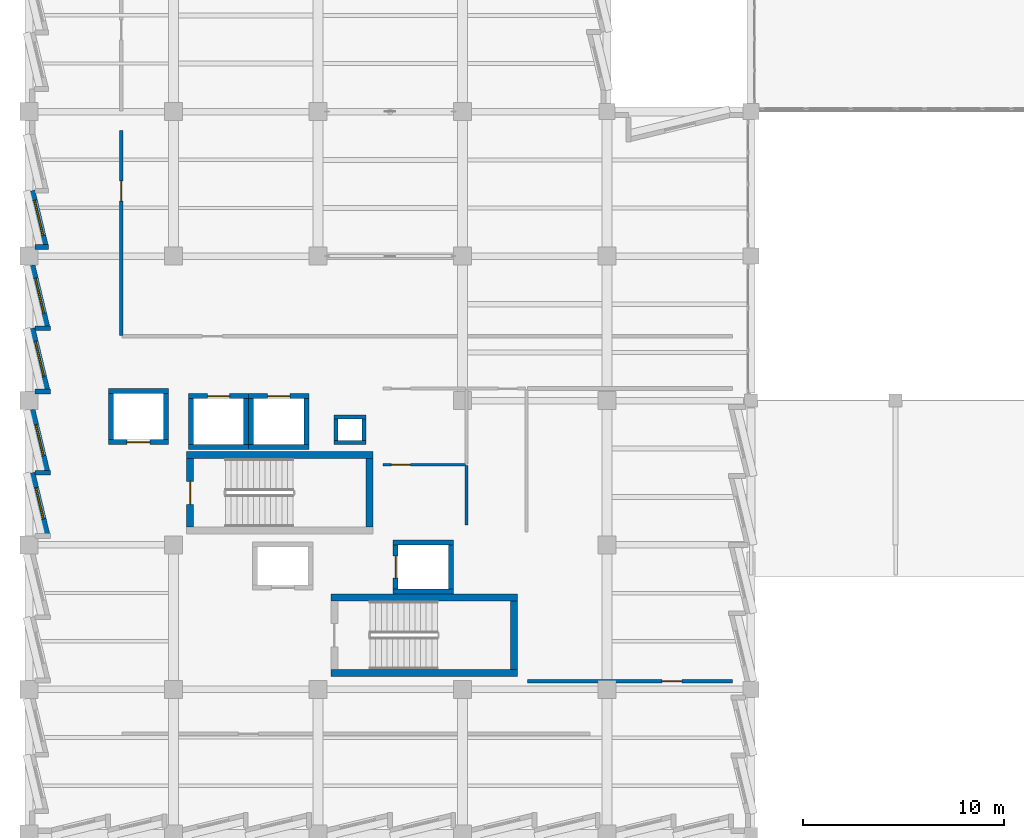
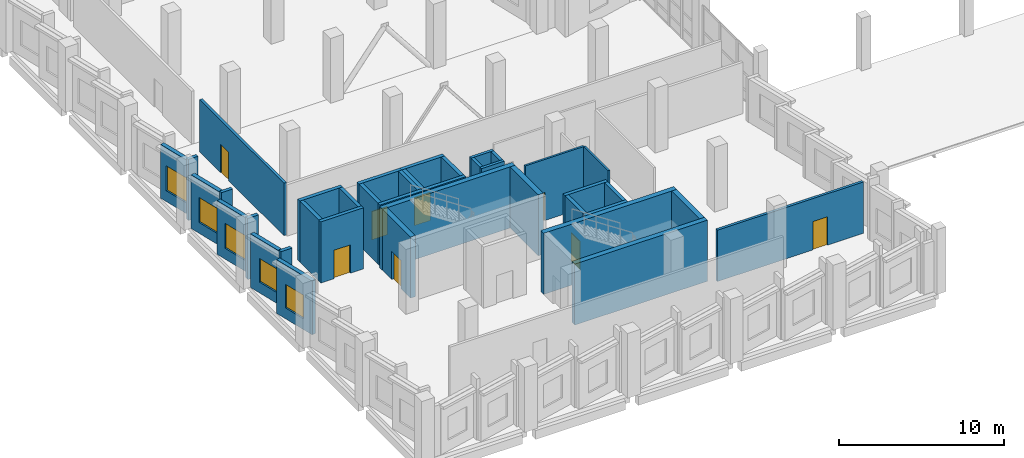
# One storey, part 92 of 127: 39 walls, 8 doors, 5 windows, 13 openings.
"""IFC4 building model written with IfcOpenShell, lengths in metres."""

from ifc_helpers import new_model, si_unit, direction, frame, frame_2d, origin, place, context, subcontext, project, spatial, rectangle, extrude, material, layer, layer_set, type_object, element, fill, save


model = new_model("IFC4")

# Units and contexts
model_context = context("Model", 3, precision=1e-05, world=origin(), true_north=direction((0.0, 1.0)))
body_context = subcontext(model_context, "Body", "Model", "MODEL_VIEW")
ifc_project = project(units=[si_unit("LENGTHUNIT", "METRE"), si_unit("AREAUNIT", "SQUARE_METRE"), si_unit("VOLUMEUNIT", "CUBIC_METRE"), si_unit("PLANEANGLEUNIT", "RADIAN"), si_unit("MASSUNIT", "GRAM", prefix="KILO")], contexts=[model_context])

# Site, building, storey
site_placement = place(None, origin())
site = spatial("IfcSite", under=ifc_project, at=site_placement, CompositionType="ELEMENT")
building_placement = place(site_placement, origin())
building = spatial("IfcBuilding", under=site, at=building_placement, Name="Kalmorath City Hall", CompositionType="ELEMENT")
storey_placement = place(building_placement, frame((0.0, 0.0, 5.39990234375)))
storey = spatial("IfcBuildingStorey", under=building, at=storey_placement, Name="L01", CompositionType="ELEMENT", Elevation=5.39990234375)

# Wall
ifc_material_1 = material(Name="Concrete C50/60", Category="concrete")
ifc_layer_1 = layer(ifc_material_1, 0.35009765625)
ifc_layer_set_1 = layer_set([ifc_layer_1], Name="Concrete C50/60")
wall_type_1 = type_object("IfcWallType", Name="Concrete core shear wall 350", PredefinedType="SHEAR", material=ifc_layer_set_1)
wall_1_placement = place(storey_placement, frame((17.14990234375, 18.875, 0.0), z_axis=(0.0, 0.0, 1.0), x_axis=(-1.0, 0.0, 0.0)))
element("IfcWall", 1, at=wall_1_placement, inside=storey, type_object=wall_type_1, Name="L01 C1 stair core shear wall N", PredefinedType="SHEAR", context=body_context, shape_type="SweptSolid", body=[
    extrude(rectangle(XDim=9.2998046875, YDim=0.35009765625, at=frame_2d((4.64990234375, 0.0))), origin(), (0.0, 0.0, 1.0), 4.52001953125),
])

# Wall, opening, door
wall_2_placement = place(storey_placement, frame((8.02490234375, 18.699951171875, 0.0), z_axis=(0.0, 0.0, 1.0), x_axis=(0.0, -1.0, 0.0)))
wall_2 = element("IfcWall", 2, at=wall_2_placement, inside=storey, type_object=wall_type_1, Name="L01 C1 stair core shear wall W", PredefinedType="SHEAR", context=body_context, shape_type="SweptSolid", body=[
    extrude(rectangle(XDim=3.39990234375, YDim=0.35009765625, at=frame_2d((1.699951171875, 0.0))), origin(), (0.0, 0.0, 1.0), 4.52001953125),
])
opening_1_placement = place(wall_2_placement, frame((1.125, 0.0, 0.0)))
opening_1 = element("IfcOpeningElement", 3, at=opening_1_placement, cuts=wall_2, Name="Opening D-L01-003", PredefinedType="OPENING", context=body_context, shape_type="SweptSolid", body=[
    extrude(rectangle(XDim=1.14990234375, YDim=2.10009765625, at=frame_2d((0.574951171875, 1.050048828125))), frame((0.0, 0.18505859375, 0.0), z_axis=(0.0, -1.0, 0.0), x_axis=(1.0, 0.0, 0.0)), (0.0, 0.0, 1.0), 0.3701171875),
])
ifc_material_2 = material(Name="Galvanised steel fire door", Category="steel")
door_type_1 = type_object("IfcDoorType", Name="Stair enclosure 90-min fire door 1150x2100", OperationType="NOTDEFINED", PredefinedType="DOOR", material=ifc_material_2)
door_1_placement = place(opening_1_placement, frame((1.14990234375, 0.0, 0.0), z_axis=(0.0, 0.0, 1.0), x_axis=(-1.0, 0.0, 0.0)))
door_1 = element("IfcDoor", 4, at=door_1_placement, inside=storey, type_object=door_type_1, Name="L01 door D-L01-003", OperationType="SINGLE_SWING_LEFT", OverallHeight=2.10009765625, OverallWidth=1.14990234375, PredefinedType="DOOR", context=body_context, shape_type="SweptSolid", body=[
    extrude(rectangle(XDim=1.14990234375, YDim=2.10009765625, at=frame_2d((0.574951171875, 1.050048828125))), frame((0.0, 0.02490234375, 0.0), z_axis=(0.0, -1.0, 0.0), x_axis=(1.0, 0.0, 0.0)), (0.0, 0.0, 1.0), 0.050048828125),
])
fill(opening_1, door_1)

# Walls
wall_3_placement = place(storey_placement, frame((16.97509765625, 15.300048828125, 0.0), z_axis=(0.0, 0.0, 1.0), x_axis=(0.0, 1.0, 0.0)))
element("IfcWall", 5, at=wall_3_placement, inside=storey, type_object=wall_type_1, Name="L01 C1 stair core shear wall E", PredefinedType="SHEAR", context=body_context, shape_type="SweptSolid", body=[
    extrude(rectangle(XDim=3.39990234375, YDim=0.35009765625, at=frame_2d((1.699951171875, 0.0))), origin(), (0.0, 0.0, 1.0), 4.52001953125),
])
for number, where, z_axis, x_axis, name in (
    (6, (15.050048828125, 8.02490234375, 0.0), (0.0, 0.0, 1.0), (1.0, 0.0, 0.0), "L01 C2 stair core shear wall S"),
    (7, (24.35009765625, 11.77490234375, 0.0), (0.0, 0.0, 1.0), (-1.0, 0.0, 0.0), "L01 C2 stair core shear wall N"),
):
    element("IfcWall", number, at=place(storey_placement, frame(where, z_axis=z_axis, x_axis=x_axis)), inside=storey, type_object=wall_type_1, Name=name, PredefinedType="SHEAR", context=body_context, shape_type="SweptSolid", body=[
        extrude(rectangle(XDim=9.300048828125, YDim=0.35009765625, at=frame_2d((4.64990234375, 0.0))), origin(), (0.0, 0.0, 1.0), 4.52001953125),
    ])
wall_4_placement = place(storey_placement, frame((24.175048828125, 8.199951171875, 0.0), z_axis=(0.0, 0.0, 1.0), x_axis=(0.0, 1.0, 0.0)))
element("IfcWall", 8, at=wall_4_placement, inside=storey, type_object=wall_type_1, Name="L01 C2 stair core shear wall E", PredefinedType="SHEAR", context=body_context, shape_type="SweptSolid", body=[
    extrude(rectangle(XDim=3.400146484375, YDim=0.35009765625, at=frame_2d((1.7001953125, 0.0))), origin(), (0.0, 0.0, 1.0), 4.52001953125),
])

# Wall, opening, door
ifc_material_3 = material(Name="Concrete C50/60", Category="concrete")
ifc_layer_2 = layer(ifc_material_3, 0.25)
ifc_layer_set_2 = layer_set([ifc_layer_2], Name="Concrete C50/60")
wall_type_2 = type_object("IfcWallType", Name="Concrete lift shaft wall 250", PredefinedType="SHEAR", material=ifc_layer_set_2)
wall_5_placement = place(storey_placement, frame((3.949951171875, 19.52490234375, 0.0), z_axis=(0.0, 0.0, 1.0), x_axis=(1.0, 0.0, 0.0)))
wall_5 = element("IfcWall", 9, at=wall_5_placement, inside=storey, type_object=wall_type_2, Name="L01 FL1 lift shaft wall -y", PredefinedType="SHEAR", context=body_context, shape_type="SweptSolid", body=[
    extrude(rectangle(XDim=3.0, YDim=0.25, at=frame_2d((1.5, 0.0))), origin(), (0.0, 0.0, 1.0), 4.52001953125),
])
opening_2_placement = place(wall_5_placement, frame((0.925048828125, 0.0, 0.0)))
opening_2 = element("IfcOpeningElement", 10, at=opening_2_placement, cuts=wall_5, Name="Opening LD-012", PredefinedType="OPENING", context=body_context, shape_type="SweptSolid", body=[
    extrude(rectangle(XDim=1.14990234375, YDim=2.10009765625, at=frame_2d((0.574951171875, 1.050048828125))), frame((0.0, 0.135009765625, 0.0), z_axis=(0.0, -1.0, 0.0), x_axis=(1.0, 0.0, 0.0)), (0.0, 0.0, 1.0), 0.27001953125),
])
ifc_material_4 = material(Name="Stainless steel sliding landing door", Category="steel")
door_type_2 = type_object("IfcDoorType", Name="Firefighting lift sliding landing door 1150x2100", OperationType="SLIDING_TO_RIGHT", PredefinedType="DOOR", material=ifc_material_4)
door_2_placement = place(opening_2_placement, origin())
door_2 = element("IfcDoor", 11, at=door_2_placement, inside=storey, type_object=door_type_2, Name="L01 door LD-012", OperationType="SLIDING_TO_RIGHT", OverallHeight=2.10009765625, OverallWidth=1.14990234375, PredefinedType="DOOR", context=body_context, shape_type="SweptSolid", body=[
    extrude(rectangle(XDim=1.14990234375, YDim=2.10009765625, at=frame_2d((0.574951171875, 1.050048828125))), frame((0.0, 0.02490234375, 0.0), z_axis=(0.0, -1.0, 0.0), x_axis=(1.0, 0.0, 0.0)), (0.0, 0.0, 1.0), 0.050048828125),
])
fill(opening_2, door_2)

# Walls
wall_6_placement = place(storey_placement, frame((6.949951171875, 22.074951171875, 0.0), z_axis=(0.0, 0.0, 1.0), x_axis=(-1.0, 0.0, 0.0)))
element("IfcWall", 12, at=wall_6_placement, inside=storey, type_object=wall_type_2, Name="L01 FL1 lift shaft wall +y", PredefinedType="SHEAR", context=body_context, shape_type="SweptSolid", body=[
    extrude(rectangle(XDim=3.0, YDim=0.25, at=frame_2d((1.5, 0.0))), origin(), (0.0, 0.0, 1.0), 4.52001953125),
])
for number, where, z_axis, x_axis, name in (
    (13, (4.074951171875, 21.949951171875, 0.0), (0.0, 0.0, 1.0), (0.0, -1.0, 0.0), "L01 FL1 lift shaft wall -x"),
    (14, (6.824951171875, 19.64990234375, 0.0), (0.0, 0.0, 1.0), (0.0, 1.0, 0.0), "L01 FL1 lift shaft wall +x"),
):
    element("IfcWall", number, at=place(storey_placement, frame(where, z_axis=z_axis, x_axis=x_axis)), inside=storey, type_object=wall_type_2, Name=name, PredefinedType="SHEAR", context=body_context, shape_type="SweptSolid", body=[
        extrude(rectangle(XDim=2.300048828125, YDim=0.25, at=frame_2d((1.14990234375, 0.0))), origin(), (0.0, 0.0, 1.0), 4.52001953125),
    ])
wall_7_placement = place(storey_placement, frame((7.949951171875, 19.27490234375, 0.0), z_axis=(0.0, 0.0, 1.0), x_axis=(1.0, 0.0, 0.0)))
element("IfcWall", 15, at=wall_7_placement, inside=storey, type_object=wall_type_2, Name="L01 PL1 lift shaft wall -y", PredefinedType="SHEAR", context=body_context, shape_type="SweptSolid", body=[
    extrude(rectangle(XDim=3.0, YDim=0.25, at=frame_2d((1.5, 0.0))), origin(), (0.0, 0.0, 1.0), 4.52001953125),
])

# Wall, opening, door
wall_8_placement = place(storey_placement, frame((10.949951171875, 21.824951171875, 0.0), z_axis=(0.0, 0.0, 1.0), x_axis=(-1.0, 0.0, 0.0)))
wall_8 = element("IfcWall", 16, at=wall_8_placement, inside=storey, type_object=wall_type_2, Name="L01 PL1 lift shaft wall +y", PredefinedType="SHEAR", context=body_context, shape_type="SweptSolid", body=[
    extrude(rectangle(XDim=3.0, YDim=0.25, at=frame_2d((1.5, 0.0))), origin(), (0.0, 0.0, 1.0), 4.52001953125),
])
opening_3_placement = place(wall_8_placement, frame((0.949951171875, 0.0, 0.0)))
opening_3 = element("IfcOpeningElement", 17, at=opening_3_placement, cuts=wall_8, Name="Opening LD-021", PredefinedType="OPENING", context=body_context, shape_type="SweptSolid", body=[
    extrude(rectangle(XDim=1.10009765625, YDim=2.10009765625, at=frame_2d((0.550048828125, 1.050048828125))), frame((0.0, 0.135009765625, 0.0), z_axis=(0.0, -1.0, 0.0), x_axis=(1.0, 0.0, 0.0)), (0.0, 0.0, 1.0), 0.27001953125),
])
ifc_material_5 = material(Name="Stainless steel sliding landing door", Category="steel")
door_type_3 = type_object("IfcDoorType", Name="Passenger lift sliding landing door 1100x2100", OperationType="SLIDING_TO_LEFT", PredefinedType="DOOR", material=ifc_material_5)
door_3_placement = place(opening_3_placement, origin())
door_3 = element("IfcDoor", 18, at=door_3_placement, inside=storey, type_object=door_type_3, Name="L01 door LD-021", OperationType="SLIDING_TO_LEFT", OverallHeight=2.10009765625, OverallWidth=1.10009765625, PredefinedType="DOOR", context=body_context, shape_type="SweptSolid", body=[
    extrude(rectangle(XDim=1.10009765625, YDim=2.10009765625, at=frame_2d((0.550048828125, 1.050048828125))), frame((0.0, 0.02490234375, 0.0), z_axis=(0.0, -1.0, 0.0), x_axis=(1.0, 0.0, 0.0)), (0.0, 0.0, 1.0), 0.050048828125),
])
fill(opening_3, door_3)

# Walls
for number, where, z_axis, x_axis, name in (
    (19, (8.074951171875, 21.699951171875, 0.0), (0.0, 0.0, 1.0), (0.0, -1.0, 0.0), "L01 PL1 lift shaft wall -x"),
    (20, (10.824951171875, 19.39990234375, 0.0), (0.0, 0.0, 1.0), (0.0, 1.0, 0.0), "L01 PL1 lift shaft wall +x"),
):
    element("IfcWall", number, at=place(storey_placement, frame(where, z_axis=z_axis, x_axis=x_axis)), inside=storey, type_object=wall_type_2, Name=name, PredefinedType="SHEAR", context=body_context, shape_type="SweptSolid", body=[
        extrude(rectangle(XDim=2.300048828125, YDim=0.25, at=frame_2d((1.14990234375, 0.0))), origin(), (0.0, 0.0, 1.0), 4.52001953125),
    ])
wall_9_placement = place(storey_placement, frame((10.949951171875, 19.27490234375, 0.0), z_axis=(0.0, 0.0, 1.0), x_axis=(1.0, 0.0, 0.0)))
element("IfcWall", 21, at=wall_9_placement, inside=storey, type_object=wall_type_2, Name="L01 PL2 lift shaft wall -y", PredefinedType="SHEAR", context=body_context, shape_type="SweptSolid", body=[
    extrude(rectangle(XDim=3.0, YDim=0.25, at=frame_2d((1.5, 0.0))), origin(), (0.0, 0.0, 1.0), 4.52001953125),
])

# Wall, opening, door
wall_10_placement = place(storey_placement, frame((13.949951171875, 21.824951171875, 0.0), z_axis=(0.0, 0.0, 1.0), x_axis=(-1.0, 0.0, 0.0)))
wall_10 = element("IfcWall", 22, at=wall_10_placement, inside=storey, type_object=wall_type_2, Name="L01 PL2 lift shaft wall +y", PredefinedType="SHEAR", context=body_context, shape_type="SweptSolid", body=[
    extrude(rectangle(XDim=3.0, YDim=0.25, at=frame_2d((1.5, 0.0))), origin(), (0.0, 0.0, 1.0), 4.52001953125),
])
opening_4_placement = place(wall_10_placement, frame((0.949951171875, 0.0, 0.0)))
opening_4 = element("IfcOpeningElement", 23, at=opening_4_placement, cuts=wall_10, Name="Opening LD-030", PredefinedType="OPENING", context=body_context, shape_type="SweptSolid", body=[
    extrude(rectangle(XDim=1.10009765625, YDim=2.10009765625, at=frame_2d((0.550048828125, 1.050048828125))), frame((0.0, 0.135009765625, 0.0), z_axis=(0.0, -1.0, 0.0), x_axis=(1.0, 0.0, 0.0)), (0.0, 0.0, 1.0), 0.27001953125),
])
door_4_placement = place(opening_4_placement, origin())
door_4 = element("IfcDoor", 24, at=door_4_placement, inside=storey, type_object=door_type_3, Name="L01 door LD-030", OperationType="SLIDING_TO_LEFT", OverallHeight=2.10009765625, OverallWidth=1.10009765625, PredefinedType="DOOR", context=body_context, shape_type="SweptSolid", body=[
    extrude(rectangle(XDim=1.10009765625, YDim=2.10009765625, at=frame_2d((0.550048828125, 1.050048828125))), frame((0.0, 0.02490234375, 0.0), z_axis=(0.0, -1.0, 0.0), x_axis=(1.0, 0.0, 0.0)), (0.0, 0.0, 1.0), 0.050048828125),
])
fill(opening_4, door_4)

# Walls
for number, where, z_axis, x_axis, name in (
    (25, (11.074951171875, 21.699951171875, 0.0), (0.0, 0.0, 1.0), (0.0, -1.0, 0.0), "L01 PL2 lift shaft wall -x"),
    (26, (13.824951171875, 19.39990234375, 0.0), (0.0, 0.0, 1.0), (0.0, 1.0, 0.0), "L01 PL2 lift shaft wall +x"),
):
    element("IfcWall", number, at=place(storey_placement, frame(where, z_axis=z_axis, x_axis=x_axis)), inside=storey, type_object=wall_type_2, Name=name, PredefinedType="SHEAR", context=body_context, shape_type="SweptSolid", body=[
        extrude(rectangle(XDim=2.300048828125, YDim=0.25, at=frame_2d((1.14990234375, 0.0))), origin(), (0.0, 0.0, 1.0), 4.52001953125),
    ])
for number, where, z_axis, x_axis, name in (
    (27, (18.14990234375, 12.074951171875, 0.0), (0.0, 0.0, 1.0), (1.0, 0.0, 0.0), "L01 PL3 lift shaft wall -y"),
    (28, (21.14990234375, 14.52490234375, 0.0), (0.0, 0.0, 1.0), (-1.0, 0.0, 0.0), "L01 PL3 lift shaft wall +y"),
):
    element("IfcWall", number, at=place(storey_placement, frame(where, z_axis=z_axis, x_axis=x_axis)), inside=storey, type_object=wall_type_2, Name=name, PredefinedType="SHEAR", context=body_context, shape_type="SweptSolid", body=[
        extrude(rectangle(XDim=3.0, YDim=0.25, at=frame_2d((1.5, 0.0))), origin(), (0.0, 0.0, 1.0), 4.52001953125),
    ])

# Wall, opening, door
wall_11_placement = place(storey_placement, frame((18.27490234375, 14.39990234375, 0.0), z_axis=(0.0, 0.0, 1.0), x_axis=(0.0, -1.0, 0.0)))
wall_11 = element("IfcWall", 29, at=wall_11_placement, inside=storey, type_object=wall_type_2, Name="L01 PL3 lift shaft wall -x", PredefinedType="SHEAR", context=body_context, shape_type="SweptSolid", body=[
    extrude(rectangle(XDim=2.199951171875, YDim=0.25, at=frame_2d((1.10009765625, 0.0))), origin(), (0.0, 0.0, 1.0), 4.52001953125),
])
opening_5_placement = place(wall_11_placement, frame((0.550048828125, 0.0, 0.0)))
opening_5 = element("IfcOpeningElement", 30, at=opening_5_placement, cuts=wall_11, Name="Opening LD-057", PredefinedType="OPENING", context=body_context, shape_type="SweptSolid", body=[
    extrude(rectangle(XDim=1.10009765625, YDim=2.10009765625, at=frame_2d((0.550048828125, 1.050048828125))), frame((0.0, 0.135009765625, 0.0), z_axis=(0.0, -1.0, 0.0), x_axis=(1.0, 0.0, 0.0)), (0.0, 0.0, 1.0), 0.27001953125),
])
door_5_placement = place(opening_5_placement, origin())
door_5 = element("IfcDoor", 31, at=door_5_placement, inside=storey, type_object=door_type_3, Name="L01 door LD-057", OperationType="SLIDING_TO_LEFT", OverallHeight=2.10009765625, OverallWidth=1.10009765625, PredefinedType="DOOR", context=body_context, shape_type="SweptSolid", body=[
    extrude(rectangle(XDim=1.10009765625, YDim=2.10009765625, at=frame_2d((0.550048828125, 1.050048828125))), frame((0.0, 0.02490234375, 0.0), z_axis=(0.0, -1.0, 0.0), x_axis=(1.0, 0.0, 0.0)), (0.0, 0.0, 1.0), 0.050048828125),
])
fill(opening_5, door_5)

# Walls
wall_12_placement = place(storey_placement, frame((21.02490234375, 12.199951171875, 0.0), z_axis=(0.0, 0.0, 1.0), x_axis=(0.0, 1.0, 0.0)))
element("IfcWall", 32, at=wall_12_placement, inside=storey, type_object=wall_type_2, Name="L01 PL3 lift shaft wall +x", PredefinedType="SHEAR", context=body_context, shape_type="SweptSolid", body=[
    extrude(rectangle(XDim=2.199951171875, YDim=0.25, at=frame_2d((1.10009765625, 0.0))), origin(), (0.0, 0.0, 1.0), 4.52001953125),
])
ifc_material_6 = material(Name="Concrete C40/50", Category="concrete")
ifc_layer_3 = layer(ifc_material_6, 0.199951171875)
ifc_layer_set_3 = layer_set([ifc_layer_3], Name="Concrete C40/50")
wall_type_3 = type_object("IfcWallType", Name="Concrete service riser wall 200", PredefinedType="SOLIDWALL", material=ifc_layer_set_3)
for number, where, z_axis, x_axis, name in (
    (33, (15.199951171875, 19.5, 0.0), (0.0, 0.0, 1.0), (1.0, 0.0, 0.0), "L01 RSR-1 riser shaft wall S"),
    (34, (16.800048828125, 20.780029296875, 0.0), (0.0, 0.0, 1.0), (-1.0, 0.0, 0.0), "L01 RSR-1 riser shaft wall N"),
):
    element("IfcWall", number, at=place(storey_placement, frame(where, z_axis=z_axis, x_axis=x_axis)), inside=storey, type_object=wall_type_3, Name=name, PredefinedType="SOLIDWALL", context=body_context, shape_type="SweptSolid", body=[
        extrude(rectangle(XDim=1.60009765625, YDim=0.199951171875, at=frame_2d((0.800048828125, 0.0))), origin(), (0.0, 0.0, 1.0), 4.52001953125),
    ])
for number, where, z_axis, x_axis, name in (
    (35, (15.300048828125, 20.679931640625, 0.0), (0.0, 0.0, 1.0), (0.0, -1.0, 0.0), "L01 RSR-1 riser shaft wall W"),
    (36, (16.699951171875, 19.60009765625, 0.0), (0.0, 0.0, 1.0), (0.0, 1.0, 0.0), "L01 RSR-1 riser shaft wall E"),
):
    element("IfcWall", number, at=place(storey_placement, frame(where, z_axis=z_axis, x_axis=x_axis)), inside=storey, type_object=wall_type_3, Name=name, PredefinedType="SOLIDWALL", context=body_context, shape_type="SweptSolid", body=[
        extrude(rectangle(XDim=1.079833984375, YDim=0.199951171875, at=frame_2d((0.5400390625, 0.0))), origin(), (0.0, 0.0, 1.0), 4.52001953125),
    ])

# Wall, opening, door
ifc_material_7 = material(Name="Fire-rated acoustic gypsum partition")
ifc_layer_4 = layer(ifc_material_7, 0.179931640625)
ifc_layer_set_4 = layer_set([ifc_layer_4], Name="Fire-rated acoustic gypsum partition")
wall_type_4 = type_object("IfcWallType", Name="One-hour corridor fire partition 180", PredefinedType="PARTITIONING", material=ifc_layer_set_4)
wall_13_placement = place(storey_placement, frame((4.60009765625, 24.840087890625, 0.0), z_axis=(0.0, 0.0, 1.0), x_axis=(0.0, 1.0, 0.0)))
wall_13 = element("IfcWall", 37, at=wall_13_placement, inside=storey, type_object=wall_type_4, Name="L01 interior partition PW2 #67", PredefinedType="PARTITIONING", context=body_context, shape_type="SweptSolid", body=[
    extrude(rectangle(XDim=10.219970703125, YDim=0.179931640625, at=frame_2d((5.10986328125, 0.0))), origin(), (0.0, 0.0, 1.0), 3.88916015625),
])
opening_6_placement = place(wall_13_placement, frame((6.705078125, 0.0, 0.0)))
opening_6 = element("IfcOpeningElement", 38, at=opening_6_placement, cuts=wall_13, Name="Opening D-L01-172", PredefinedType="OPENING", context=body_context, shape_type="SweptSolid", body=[
    extrude(rectangle(XDim=1.0, YDim=2.10009765625, at=frame_2d((0.5, 1.050048828125))), frame((0.0, 0.099853515625, 0.0), z_axis=(0.0, -1.0, 0.0), x_axis=(1.0, 0.0, 0.0)), (0.0, 0.0, 1.0), 0.199951171875),
])
ifc_material_8 = material(Name="Hardwood fire door", Category="wood")
door_type_4 = type_object("IfcDoorType", Name="Corridor 60-min fire door 1000x2100", OperationType="NOTDEFINED", PredefinedType="DOOR", material=ifc_material_8)
door_6_placement = place(opening_6_placement, origin())
door_6 = element("IfcDoor", 39, at=door_6_placement, inside=storey, type_object=door_type_4, Name="L01 door D-L01-172", OperationType="SINGLE_SWING_RIGHT", OverallHeight=2.10009765625, OverallWidth=1.0, PredefinedType="DOOR", context=body_context, shape_type="SweptSolid", body=[
    extrude(rectangle(XDim=1.0, YDim=2.10009765625, at=frame_2d((0.5, 1.050048828125))), frame((0.0, 0.02490234375, 0.0), z_axis=(0.0, -1.0, 0.0), x_axis=(1.0, 0.0, 0.0)), (0.0, 0.0, 1.0), 0.050048828125),
])
fill(opening_6, door_6)

wall_14_placement = place(storey_placement, frame((24.840087890625, 7.60009765625, 0.0), z_axis=(0.0, 0.0, 1.0), x_axis=(1.0, 0.0, 0.0)))
wall_14 = element("IfcWall", 40, at=wall_14_placement, inside=storey, type_object=wall_type_4, Name="L01 interior partition PW2 #76", PredefinedType="PARTITIONING", context=body_context, shape_type="SweptSolid", body=[
    extrude(rectangle(XDim=10.219970703125, YDim=0.179931640625, at=frame_2d((5.10986328125, 0.0))), origin(), (0.0, 0.0, 1.0), 3.801025390625),
])
opening_7_placement = place(wall_14_placement, frame((6.705078125, 0.0, 0.0)))
opening_7 = element("IfcOpeningElement", 41, at=opening_7_placement, cuts=wall_14, Name="Opening D-L01-170", PredefinedType="OPENING", context=body_context, shape_type="SweptSolid", body=[
    extrude(rectangle(XDim=1.0, YDim=2.10009765625, at=frame_2d((0.5, 1.050048828125))), frame((0.0, 0.099853515625, 0.0), z_axis=(0.0, -1.0, 0.0), x_axis=(1.0, 0.0, 0.0)), (0.0, 0.0, 1.0), 0.199951171875),
])
door_7_placement = place(opening_7_placement, origin())
door_7 = element("IfcDoor", 42, at=door_7_placement, inside=storey, type_object=door_type_4, Name="L01 door D-L01-170", OperationType="SINGLE_SWING_RIGHT", OverallHeight=2.10009765625, OverallWidth=1.0, PredefinedType="DOOR", context=body_context, shape_type="SweptSolid", body=[
    extrude(rectangle(XDim=1.0, YDim=2.10009765625, at=frame_2d((0.5, 1.050048828125))), frame((0.0, 0.02490234375, 0.0), z_axis=(0.0, -1.0, 0.0), x_axis=(1.0, 0.0, 0.0)), (0.0, 0.0, 1.0), 0.050048828125),
])
fill(opening_7, door_7)

# Walls
ifc_material_9 = material(Name="Precast concrete C40/50", Category="concrete")
ifc_layer_5 = layer(ifc_material_9, 0.239990234375)
ifc_layer_set_5 = layer_set([ifc_layer_5], Name="Precast concrete C40/50")
wall_type_5 = type_object("IfcWallType", Name="Precast sawtooth cheek wall 240", PredefinedType="SOLIDWALL", material=ifc_layer_set_5)
for number, where, z_axis, x_axis, name in (
    (43, (1.06103515625, 18.0, 0.0), (0.0, 0.0, 1.0), (-1.0, 0.0, 0.0), "L01 sawtooth return cheek #175"),
    (44, (1.06103515625, 22.051025390625, 0.0), (0.0, 0.0, 1.0), (-1.0, 0.0, 0.0), "L01 sawtooth return cheek #177"),
    (45, (1.06103515625, 25.199951171875, 0.0), (0.0, 0.0, 1.0), (-1.0, 0.0, 0.0), "L01 sawtooth return cheek #179"),
):
    element("IfcWall", number, at=place(storey_placement, frame(where, z_axis=z_axis, x_axis=x_axis)), inside=storey, type_object=wall_type_5, Name=name, PredefinedType="SOLIDWALL", context=body_context, shape_type="SweptSolid", body=[
        extrude(rectangle(XDim=0.76904296875, YDim=0.239990234375, at=frame_2d((0.384521484375, 0.0))), origin(), (0.0, 0.0, 1.0), 4.52001953125),
    ])
wall_15_placement = place(storey_placement, frame((0.9794921875, 29.2509765625, 0.0), z_axis=(0.0, 0.0, 1.0), x_axis=(-1.0, 0.0, 0.0)))
element("IfcWall", 46, at=wall_15_placement, inside=storey, type_object=wall_type_5, Name="L01 sawtooth return cheek #182", PredefinedType="SOLIDWALL", context=body_context, shape_type="SweptSolid", body=[
    extrude(rectangle(XDim=0.6875, YDim=0.239990234375, at=frame_2d((0.34375, 0.0))), origin(), (0.0, 0.0, 1.0), 4.52001953125),
])

# Wall, opening, window
ifc_material_10 = material(Name="Precast concrete C40/50", Category="concrete")
ifc_layer_6 = layer(ifc_material_10, 0.280029296875)
ifc_layer_set_6 = layer_set([ifc_layer_6], Name="Precast concrete C40/50")
wall_type_6 = type_object("IfcWallType", Name="Precast sawtooth facade wall 280", PredefinedType="SOLIDWALL", material=ifc_layer_set_6)
wall_16_placement = place(storey_placement, frame((0.893798828125, 14.943359375, 0.0), z_axis=(0.0, 0.0, 1.0), x_axis=(-0.233461073712, 0.972366148661, 0.0)))
wall_16 = element("IfcWall", 47, at=wall_16_placement, inside=storey, type_object=wall_type_6, Name="L01 sawtooth precast frame #172", PredefinedType="SOLIDWALL", context=body_context, shape_type="SweptSolid", body=[
    extrude(rectangle(XDim=3.1435546875, YDim=0.280029296875, at=frame_2d((1.57177734375, 0.0))), origin(), (0.0, 0.0, 1.0), 3.97607421875),
])
opening_8_placement = place(wall_16_placement, frame((0.771728515625, 0.0, 0.800048828125)))
opening_8 = element("IfcOpeningElement", 48, at=opening_8_placement, cuts=wall_16, Name="Opening WN3", PredefinedType="OPENING", context=body_context, shape_type="SweptSolid", body=[
    extrude(rectangle(XDim=1.60009765625, YDim=1.75, at=frame_2d((0.800048828125, 0.875))), frame((0.0, 0.14990234375, 0.0), z_axis=(0.0, -1.0, 0.0), x_axis=(1.0, 0.0, 0.0)), (0.0, 0.0, 1.0), 0.300048828125),
])
ifc_material_11 = material(Name="Aluminium and laminated glass", Category="aluminium")
window_type_1 = type_object("IfcWindowType", Name="Sawtooth upper window 1600x1750", PartitioningType="SINGLE_PANEL", PredefinedType="WINDOW", material=ifc_material_11)
window_1_placement = place(opening_8_placement, origin())
window_1 = element("IfcWindow", 49, at=window_1_placement, inside=storey, type_object=window_type_1, Name="L01 window WN3-80", OverallHeight=1.75, OverallWidth=1.60009765625, PartitioningType="SINGLE_PANEL", PredefinedType="WINDOW", context=body_context, shape_type="SweptSolid", body=[
    extrude(rectangle(XDim=1.60009765625, YDim=1.75, at=frame_2d((0.800048828125, 0.875))), frame((0.0, 0.030029296875, 0.0), z_axis=(0.0, -1.0, 0.0), x_axis=(1.0, 0.0, 0.0)), (0.0, 0.0, 1.0), 0.06005859375),
])
fill(opening_8, window_1)

wall_17_placement = place(storey_placement, frame((0.893798828125, 18.09228515625, 0.0), z_axis=(0.0, 0.0, 1.0), x_axis=(-0.233461073712, 0.972366148661, 0.0)))
wall_17 = element("IfcWall", 50, at=wall_17_placement, inside=storey, type_object=wall_type_6, Name="L01 sawtooth precast frame #174", PredefinedType="SOLIDWALL", context=body_context, shape_type="SweptSolid", body=[
    extrude(rectangle(XDim=3.1435546875, YDim=0.280029296875, at=frame_2d((1.57177734375, 0.0))), origin(), (0.0, 0.0, 1.0), 3.97607421875),
])
opening_9_placement = place(wall_17_placement, frame((0.771728515625, 0.0, 0.800048828125)))
opening_9 = element("IfcOpeningElement", 51, at=opening_9_placement, cuts=wall_17, Name="Opening WN3", PredefinedType="OPENING", context=body_context, shape_type="SweptSolid", body=[
    extrude(rectangle(XDim=1.60009765625, YDim=1.75, at=frame_2d((0.800048828125, 0.875))), frame((0.0, 0.14990234375, 0.0), z_axis=(0.0, -1.0, 0.0), x_axis=(1.0, 0.0, 0.0)), (0.0, 0.0, 1.0), 0.300048828125),
])
window_2_placement = place(opening_9_placement, origin())
window_2 = element("IfcWindow", 52, at=window_2_placement, inside=storey, type_object=window_type_1, Name="L01 window WN3-81", OverallHeight=1.75, OverallWidth=1.60009765625, PartitioningType="SINGLE_PANEL", PredefinedType="WINDOW", context=body_context, shape_type="SweptSolid", body=[
    extrude(rectangle(XDim=1.60009765625, YDim=1.75, at=frame_2d((0.800048828125, 0.875))), frame((0.0, 0.030029296875, 0.0), z_axis=(0.0, -1.0, 0.0), x_axis=(1.0, 0.0, 0.0)), (0.0, 0.0, 1.0), 0.06005859375),
])
fill(opening_9, window_2)

wall_18_placement = place(storey_placement, frame((0.893798828125, 22.143310546875, 0.0), z_axis=(0.0, 0.0, 1.0), x_axis=(-0.233461073712, 0.972366148661, 0.0)))
wall_18 = element("IfcWall", 53, at=wall_18_placement, inside=storey, type_object=wall_type_6, Name="L01 sawtooth precast frame #176", PredefinedType="SOLIDWALL", context=body_context, shape_type="SweptSolid", body=[
    extrude(rectangle(XDim=3.1435546875, YDim=0.280029296875, at=frame_2d((1.57177734375, 0.0))), origin(), (0.0, 0.0, 1.0), 3.97607421875),
])
opening_10_placement = place(wall_18_placement, frame((0.671630859375, 0.0, 0.800048828125)))
opening_10 = element("IfcOpeningElement", 54, at=opening_10_placement, cuts=wall_18, Name="Opening WN4", PredefinedType="OPENING", context=body_context, shape_type="SweptSolid", body=[
    extrude(rectangle(XDim=1.800048828125, YDim=1.85009765625, at=frame_2d((0.89990234375, 0.925048828125))), frame((0.0, 0.14990234375, 0.0), z_axis=(0.0, -1.0, 0.0), x_axis=(1.0, 0.0, 0.0)), (0.0, 0.0, 1.0), 0.300048828125),
])
ifc_material_12 = material(Name="Aluminium and laminated glass", Category="aluminium")
window_type_2 = type_object("IfcWindowType", Name="Sawtooth executive window 1800x1850", PartitioningType="SINGLE_PANEL", PredefinedType="WINDOW", material=ifc_material_12)
window_3_placement = place(opening_10_placement, origin())
window_3 = element("IfcWindow", 55, at=window_3_placement, inside=storey, type_object=window_type_2, Name="L01 window WN4-82", OverallHeight=1.85009765625, OverallWidth=1.800048828125, PartitioningType="SINGLE_PANEL", PredefinedType="WINDOW", context=body_context, shape_type="SweptSolid", body=[
    extrude(rectangle(XDim=1.800048828125, YDim=1.85009765625, at=frame_2d((0.89990234375, 0.925048828125))), frame((0.0, 0.030029296875, 0.0), z_axis=(0.0, -1.0, 0.0), x_axis=(1.0, 0.0, 0.0)), (0.0, 0.0, 1.0), 0.06005859375),
])
fill(opening_10, window_3)

wall_19_placement = place(storey_placement, frame((0.893798828125, 25.29248046875, 0.0), z_axis=(0.0, 0.0, 1.0), x_axis=(-0.233461073712, 0.972366148661, 0.0)))
wall_19 = element("IfcWall", 56, at=wall_19_placement, inside=storey, type_object=wall_type_6, Name="L01 sawtooth precast frame #178", PredefinedType="SOLIDWALL", context=body_context, shape_type="SweptSolid", body=[
    extrude(rectangle(XDim=3.1435546875, YDim=0.280029296875, at=frame_2d((1.57177734375, 0.0))), origin(), (0.0, 0.0, 1.0), 3.97607421875),
])
opening_11_placement = place(wall_19_placement, frame((0.671630859375, 0.0, 0.800048828125)))
opening_11 = element("IfcOpeningElement", 57, at=opening_11_placement, cuts=wall_19, Name="Opening WN4", PredefinedType="OPENING", context=body_context, shape_type="SweptSolid", body=[
    extrude(rectangle(XDim=1.800048828125, YDim=1.85009765625, at=frame_2d((0.89990234375, 0.925048828125))), frame((0.0, 0.14990234375, 0.0), z_axis=(0.0, -1.0, 0.0), x_axis=(1.0, 0.0, 0.0)), (0.0, 0.0, 1.0), 0.300048828125),
])
window_4_placement = place(opening_11_placement, origin())
window_4 = element("IfcWindow", 58, at=window_4_placement, inside=storey, type_object=window_type_2, Name="L01 window WN4-83", OverallHeight=1.85009765625, OverallWidth=1.800048828125, PartitioningType="SINGLE_PANEL", PredefinedType="WINDOW", context=body_context, shape_type="SweptSolid", body=[
    extrude(rectangle(XDim=1.800048828125, YDim=1.85009765625, at=frame_2d((0.89990234375, 0.925048828125))), frame((0.0, 0.030029296875, 0.0), z_axis=(0.0, -1.0, 0.0), x_axis=(1.0, 0.0, 0.0)), (0.0, 0.0, 1.0), 0.06005859375),
])
fill(opening_11, window_4)

wall_20_placement = place(storey_placement, frame((0.812255859375, 29.343505859375, 0.0), z_axis=(0.0, 0.0, 1.0), x_axis=(-0.233498544812, 0.972357151242, 0.0)))
wall_20 = element("IfcWall", 59, at=wall_20_placement, inside=storey, type_object=wall_type_6, Name="L01 sawtooth precast frame #181", PredefinedType="SOLIDWALL", context=body_context, shape_type="SweptSolid", body=[
    extrude(rectangle(XDim=2.793701171875, YDim=0.280029296875, at=frame_2d((1.39697265625, 0.0))), origin(), (0.0, 0.0, 1.0), 3.97607421875),
])
opening_12_placement = place(wall_20_placement, frame((0.496826171875, 0.0, 0.800048828125)))
opening_12 = element("IfcOpeningElement", 60, at=opening_12_placement, cuts=wall_20, Name="Opening WN4", PredefinedType="OPENING", context=body_context, shape_type="SweptSolid", body=[
    extrude(rectangle(XDim=1.800048828125, YDim=1.85009765625, at=frame_2d((0.89990234375, 0.925048828125))), frame((0.0, 0.14990234375, 0.0), z_axis=(0.0, -1.0, 0.0), x_axis=(1.0, 0.0, 0.0)), (0.0, 0.0, 1.0), 0.300048828125),
])
window_5_placement = place(opening_12_placement, origin())
window_5 = element("IfcWindow", 61, at=window_5_placement, inside=storey, type_object=window_type_2, Name="L01 window WN4-84", OverallHeight=1.85009765625, OverallWidth=1.800048828125, PartitioningType="SINGLE_PANEL", PredefinedType="WINDOW", context=body_context, shape_type="SweptSolid", body=[
    extrude(rectangle(XDim=1.800048828125, YDim=1.85009765625, at=frame_2d((0.89990234375, 0.925048828125))), frame((0.0, 0.030029296875, 0.0), z_axis=(0.0, -1.0, 0.0), x_axis=(1.0, 0.0, 0.0)), (0.0, 0.0, 1.0), 0.06005859375),
])
fill(opening_12, window_5)

# Wall, opening, door
ifc_material_13 = material(Name="Moisture-resistant fire-rated partition")
ifc_layer_7 = layer(ifc_material_13, 0.139892578125)
ifc_layer_set_7 = layer_set([ifc_layer_7], Name="Moisture-resistant fire-rated partition")
wall_type_7 = type_object("IfcWallType", Name="Restroom wet-wall tile partition 140", PredefinedType="PARTITIONING", material=ifc_layer_set_7)
wall_21_placement = place(storey_placement, frame((17.639892578125, 18.39990234375, 0.0), z_axis=(0.0, 0.0, 1.0), x_axis=(1.0, 0.0, 0.0)))
wall_21 = element("IfcWall", 62, at=wall_21_placement, inside=storey, type_object=wall_type_7, Name="L01 interior partition PW5 #102", PredefinedType="PARTITIONING", context=body_context, shape_type="SweptSolid", body=[
    extrude(rectangle(XDim=4.1201171875, YDim=0.139892578125, at=frame_2d((2.06005859375, 0.0))), origin(), (0.0, 0.0, 1.0), 4.52001953125),
])
opening_13_placement = place(wall_21_placement, frame((0.419921875, 0.0, 0.0)))
opening_13 = element("IfcOpeningElement", 63, at=opening_13_placement, cuts=wall_21, Name="Opening D-L01-194", PredefinedType="OPENING", context=body_context, shape_type="SweptSolid", body=[
    extrude(rectangle(XDim=0.949951171875, YDim=2.080078125, at=frame_2d((0.47509765625, 1.0400390625))), frame((0.0, 0.079833984375, 0.0), z_axis=(0.0, -1.0, 0.0), x_axis=(1.0, 0.0, 0.0)), (0.0, 0.0, 1.0), 0.159912109375),
])
ifc_material_14 = material(Name="Laminate solid-core door")
door_type_5 = type_object("IfcDoorType", Name="Restroom accessible door 950x2080", OperationType="NOTDEFINED", PredefinedType="DOOR", material=ifc_material_14)
door_8_placement = place(opening_13_placement, origin())
door_8 = element("IfcDoor", 64, at=door_8_placement, inside=storey, type_object=door_type_5, Name="L01 door D-L01-194", OperationType="SINGLE_SWING_RIGHT", OverallHeight=2.080078125, OverallWidth=0.949951171875, PredefinedType="DOOR", context=body_context, shape_type="SweptSolid", body=[
    extrude(rectangle(XDim=0.949951171875, YDim=2.080078125, at=frame_2d((0.47509765625, 1.0400390625))), frame((0.0, 0.02490234375, 0.0), z_axis=(0.0, -1.0, 0.0), x_axis=(1.0, 0.0, 0.0)), (0.0, 0.0, 1.0), 0.050048828125),
])
fill(opening_13, door_8)

# Wall
wall_22_placement = place(storey_placement, frame((21.800048828125, 15.389892578125, 0.0), z_axis=(0.0, 0.0, 1.0), x_axis=(0.0, 1.0, 0.0)))
element("IfcWall", 65, at=wall_22_placement, inside=storey, type_object=wall_type_7, Name="L01 interior partition PW5 #103", PredefinedType="PARTITIONING", context=body_context, shape_type="SweptSolid", body=[
    extrude(rectangle(XDim=2.97021484375, YDim=0.139892578125, at=frame_2d((1.485107421875, 0.0))), origin(), (0.0, 0.0, 1.0), 4.52001953125),
])

save(model, "model.ifc")
